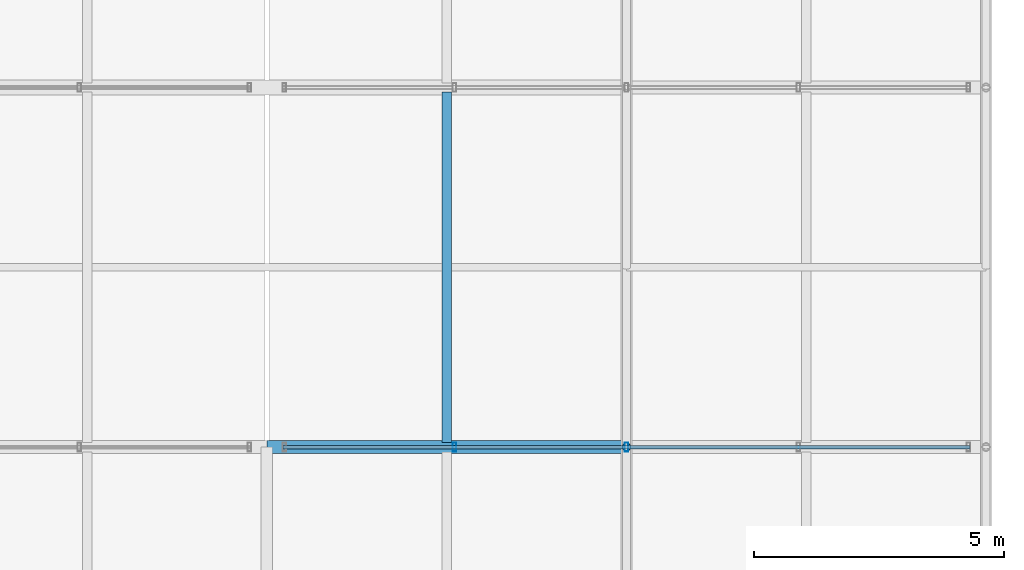
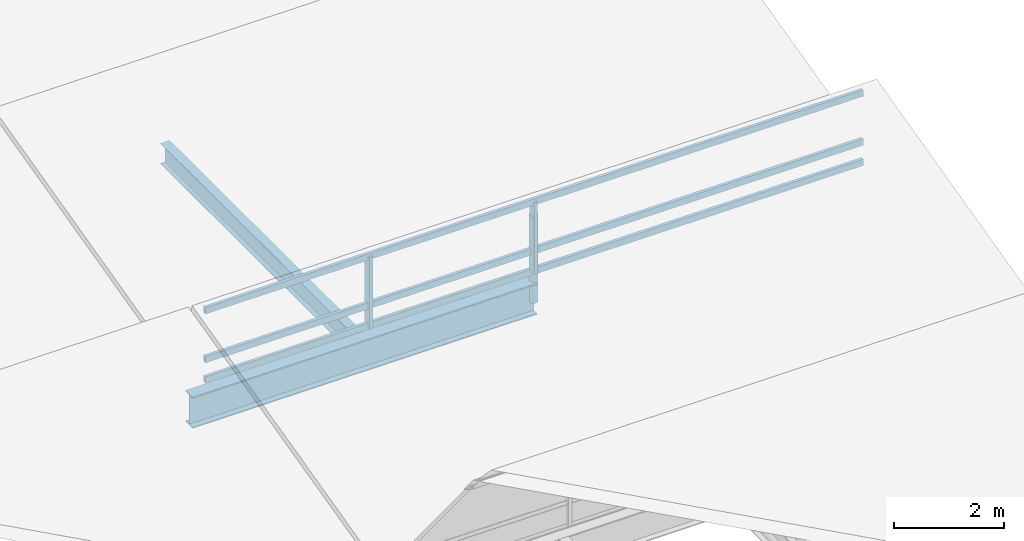
# One storey, part 62 of 144: 6 members, 2 beams, 1 element without a shape of its own.
"""IFC4 building model written with IfcOpenShell, lengths in metres."""

import ifcopenshell
import ifcopenshell.guid

model = None  # the IFC model being written
_history = None  # IfcOwnerHistory: only IFC2X3 demands one
_inside = {}  # id of a spatial element -> (the spatial element, [elements in it])
_under = {}  # id of a project, library or spatial element -> (it, [spatial elements below it])
_declared = {}  # id of a project -> (the project, [libraries it declares])
_typed = {}  # id of a type object -> (the type object, [elements of that type])
_made_of = {}  # id of a material, layer set ... -> (it, [elements and type objects made of it])


def new_model(schema):
    """Start an empty IFC model of exactly this schema.

    Asked for "IFC4X3", IfcOpenShell would pick the latest addendum, in which some entities
    have other attributes; the version numbers below select the first issue.
    IFC2X3 requires an IfcOwnerHistory on every rooted entity: one is made here for all.
    """
    global model, _history
    if schema == "IFC4X3":
        model = ifcopenshell.file(schema_version=(4, 3, 0, 0))
    else:
        model = ifcopenshell.file(schema=schema)
    _inside.clear()
    _under.clear()
    _declared.clear()
    _typed.clear()
    _made_of.clear()
    _history = None
    if model.schema == "IFC2X3":
        org = make("IfcOrganization", Name="unknown")
        user = make(
            "IfcPersonAndOrganization",
            ThePerson=make("IfcPerson", FamilyName="unknown"),
            TheOrganization=org,
        )
        app = make(
            "IfcApplication",
            ApplicationDeveloper=org,
            Version="unknown",
            ApplicationFullName="unknown",
            ApplicationIdentifier="unknown",
        )
        _history = make(
            "IfcOwnerHistory",
            OwningUser=user,
            OwningApplication=app,
            ChangeAction="ADDED",
            CreationDate=0,
        )
    return model


def make(cls, **values):
    """One entity of the class cls with the attributes given. An attribute that is None is left unset."""
    return model.create_entity(
        cls, **{name: value for name, value in values.items() if value is not None}
    )


def rooted(cls, **values):
    """An entity with a GlobalId (a new one), such as an element, a storey or a relation."""
    return make(cls, GlobalId=ifcopenshell.guid.new(), OwnerHistory=_history, **values)


def si_unit(unit_type, name, prefix=None):
    """IfcSIUnit, for example si_unit("LENGTHUNIT", "METRE", prefix="MILLI")."""
    return make("IfcSIUnit", UnitType=unit_type, Prefix=prefix, Name=name)


def assignment(units):
    """IfcUnitAssignment: the units of a project."""
    return None if units is None else make("IfcUnitAssignment", Units=units)


def point(xyz):
    """IfcCartesianPoint."""
    return None if xyz is None else make("IfcCartesianPoint", Coordinates=xyz)


def direction(xyz):
    """IfcDirection."""
    return None if xyz is None else make("IfcDirection", DirectionRatios=xyz)


def frame(location, z_axis=None, x_axis=None):
    """IfcAxis2Placement3D, a coordinate frame: its origin and axes. An axis left out is left unset."""
    return make(
        "IfcAxis2Placement3D",
        Location=point(location),
        Axis=direction(z_axis),
        RefDirection=direction(x_axis),
    )


def frame_2d(location, x_axis=None):
    """IfcAxis2Placement2D, a coordinate frame in the plane: its origin and x axis."""
    return make(
        "IfcAxis2Placement2D", Location=point(location), RefDirection=direction(x_axis)
    )


def origin():
    """The frame at (0, 0, 0) with its axes left unset."""
    return frame((0.0, 0.0, 0.0))


def origin_2d():
    """The frame at (0, 0) in the plane with its x axis left unset."""
    return frame_2d((0.0, 0.0))


def place(relative_to, where):
    """IfcLocalPlacement: puts the frame where relative to a parent placement (None: the world)."""
    return make(
        "IfcLocalPlacement", PlacementRelTo=relative_to, RelativePlacement=where
    )


def context(
    kind, dimensions, precision=None, world=None, true_north=None, identifier=None
):
    """IfcGeometricRepresentationContext, for example the 3D "Model" context."""
    return make(
        "IfcGeometricRepresentationContext",
        ContextIdentifier=identifier,
        ContextType=kind,
        CoordinateSpaceDimension=dimensions,
        Precision=precision,
        WorldCoordinateSystem=world,
        TrueNorth=true_north,
    )


def subcontext(parent, identifier, kind, view, scale=None):
    """IfcGeometricRepresentationSubContext, for example "Body" below "Model"."""
    return make(
        "IfcGeometricRepresentationSubContext",
        ContextIdentifier=identifier,
        ContextType=kind,
        ParentContext=parent,
        TargetScale=scale,
        TargetView=view,
    )


def project(units=None, contexts=None):
    """IfcProject with its units and contexts."""
    return rooted(
        "IfcProject",
        Name="project",
        RepresentationContexts=contexts,
        UnitsInContext=assignment(units),
    )


def spatial(cls, under=None, at=None, **own):
    """A site, building, storey or space (cls), placed at a placement, below another one or the project."""
    s = rooted(cls, ObjectPlacement=at, **own)
    if under is not None:
        _under.setdefault(under.id(), (under, []))[1].append(s)
    return s


def profile(cls, at=None, kind="AREA", **sizes):
    """A parametric profile (cls). Its sizes go by their IFC names, for example OverallWidth=200.0."""
    return make(cls, ProfileType=kind, Position=at, **sizes)


def hollow_rectangle(**sizes):
    """IfcRectangleHollowProfileDef."""
    return profile("IfcRectangleHollowProfileDef", **sizes)


def hollow_circle(**sizes):
    """IfcCircleHollowProfileDef."""
    return profile("IfcCircleHollowProfileDef", **sizes)


def i_section(**sizes):
    """IfcIShapeProfileDef."""
    return profile("IfcIShapeProfileDef", **sizes)


def extrude(swept, where, along, depth):
    """IfcExtrudedAreaSolid: the profile swept, set in the frame where, extruded along a direction by depth."""
    return make(
        "IfcExtrudedAreaSolid",
        SweptArea=swept,
        Position=where,
        ExtrudedDirection=direction(along),
        Depth=depth,
    )


def shape(context_of_items, identifier, shape_type, items):
    """IfcShapeRepresentation: the items that make up one representation, for example the "Body"."""
    return make(
        "IfcShapeRepresentation",
        ContextOfItems=context_of_items,
        RepresentationIdentifier=identifier,
        RepresentationType=shape_type,
        Items=items,
    )


def material(Name=None, Category=None):
    """IfcMaterial."""
    return make("IfcMaterial", Name=Name, Category=Category)


def material_profile(
    of_material, cross_section, Name=None, Category=None, Priority=None
):
    """IfcMaterialProfile: a cross section and its material."""
    return make(
        "IfcMaterialProfile",
        Name=Name,
        Material=of_material,
        Profile=cross_section,
        Priority=Priority,
        Category=Category,
    )


def profile_set(profiles, Name=None, composite=None):
    """IfcMaterialProfileSet."""
    return make(
        "IfcMaterialProfileSet",
        Name=Name,
        MaterialProfiles=profiles,
        CompositeProfile=composite,
    )


def made_of(thing, what):
    """Note that an element or type object is made of a material, layer set ...; save() writes the relation."""
    if what is not None:
        _made_of.setdefault(what.id(), (what, []))[1].append(thing)
    return thing


def type_object(cls, material=None, **own):
    """A type object (cls), such as IfcWallType, which elements share."""
    return made_of(rooted(cls, **own), material)


def element(
    cls,
    number,
    at=None,
    inside=None,
    cuts=None,
    type_object=None,
    material=None,
    context=None,
    identifier="Body",
    shape_type=None,
    held_by="IfcProductDefinitionShape",
    body=None,
    shapes=None,
    **own,
):
    """One element of the class cls, such as IfcWall. Its Tag is "e" and its number.

    at: its placement. inside: the storey or other place that contains it. cuts: it is an
    opening in that element (IfcRelVoidsElement). A single representation is given by context,
    identifier, shape_type and body (its items); several are given by shapes. held_by: the class
    of the entity that holds the representations. save() writes the other relations.
    """
    e = rooted(cls, Tag="e%d" % number, ObjectPlacement=at, **own)
    if body is not None:
        shapes = [shape(context, identifier, shape_type, body)]
    if shapes is not None:
        e.Representation = make(held_by, Representations=shapes)
    if inside is not None:
        _inside.setdefault(inside.id(), (inside, []))[1].append(e)
    if cuts is not None:
        rooted(
            "IfcRelVoidsElement", RelatingBuildingElement=cuts, RelatedOpeningElement=e
        )
    if type_object is not None:
        _typed.setdefault(type_object.id(), (type_object, []))[1].append(e)
    return made_of(e, material)


def aggregate(whole, parts):
    """IfcRelAggregates: a whole, such as a stair, and the parts it consists of."""
    return rooted("IfcRelAggregates", RelatingObject=whole, RelatedObjects=parts)


def save(model, path):
    """Write the relations noted so far, then the file.

    IfcRelAggregates (storeys below a building ...), IfcRelContainedInSpatialStructure (elements
    in a storey), IfcRelDefinesByType, IfcRelAssociatesMaterial and IfcRelDeclares: one each for
    every whole, place, type object, material and project.
    """
    for whole, parts in _under.values():
        aggregate(whole, parts)
    for where, things in _inside.values():
        rooted(
            "IfcRelContainedInSpatialStructure",
            RelatedElements=things,
            RelatingStructure=where,
        )
    for kind, things in _typed.values():
        rooted("IfcRelDefinesByType", RelatedObjects=things, RelatingType=kind)
    for what, things in _made_of.values():
        rooted("IfcRelAssociatesMaterial", RelatedObjects=things, RelatingMaterial=what)
    for by, libraries in _declared.values():
        rooted("IfcRelDeclares", RelatingContext=by, RelatedDefinitions=libraries)
    model.write(path)


model = new_model("IFC4")

# Units and contexts
model_context = context("Model", 3, precision=1e-05, world=origin(), true_north=direction((0.0, 1.0)))
body_context = subcontext(model_context, "Body", "Model", "MODEL_VIEW")
ifc_project = project(units=[si_unit("LENGTHUNIT", "METRE"), si_unit("AREAUNIT", "SQUARE_METRE"), si_unit("VOLUMEUNIT", "CUBIC_METRE"), si_unit("PLANEANGLEUNIT", "RADIAN"), si_unit("MASSUNIT", "GRAM", prefix="KILO")], contexts=[model_context])

# Site, building, storey
site_placement = place(None, origin())
site = spatial("IfcSite", under=ifc_project, at=site_placement, CompositionType="ELEMENT")
building_placement = place(site_placement, origin())
building = spatial("IfcBuilding", under=site, at=building_placement, Name="Yarey Park Central Fire Station", CompositionType="ELEMENT")
storey_placement = place(building_placement, frame((0.0, 0.0, 10.199951171875)))
storey = spatial("IfcBuildingStorey", under=building, at=storey_placement, Name="L03", CompositionType="ELEMENT", Elevation=10.199951171875)

# Curtain wall, members
ifc_material_1 = material(Name="Anodized Aluminium Frame", Category="aluminium")
curtain_wall_type = type_object("IfcCurtainWallType", Name="ENV_CW_SAW_18", PredefinedType="NOTDEFINED", material=ifc_material_1)
curtain_wall_placement = place(storey_placement, origin())
curtain_wall = element("IfcCurtainWall", 1, at=curtain_wall_placement, inside=storey, type_object=curtain_wall_type, Name="CW_L03_SAW_2_2", PredefinedType="NOTDEFINED")
ifc_material_profile_1 = material_profile(ifc_material_1, hollow_rectangle(XDim=0.070068359375, YDim=0.179931640625, WallThickness=0.00390625, at=origin_2d()), Name="ALU 180x70x4")
ifc_profile_set_1 = profile_set([ifc_material_profile_1], Name="Anodized Aluminium Frame")
member_type_1 = type_object("IfcMemberType", Name="ENV_CW_MULLION", PredefinedType="MULLION", material=ifc_profile_set_1)
member_1_placement = place(storey_placement, frame((158.39990234375, 57.60009765625, 0.0), z_axis=(0.0, 0.0, 1.0), x_axis=(1.0, 0.0, 0.0)))
member_1 = element("IfcMember", 2, at=member_1_placement, type_object=member_type_1, Name="CW_L03_SAW_2_2_MUL3", PredefinedType="MULLION", context=body_context, shape_type="SweptSolid", body=[
    extrude(hollow_rectangle(XDim=0.070068359375, YDim=0.179931640625, WallThickness=0.00390625, at=origin_2d()), origin(), (0.0, 0.0, 1.0), 1.580078125),
])
member_2_placement = place(storey_placement, frame((154.955078125, 57.60009765625, 0.0), z_axis=(0.0, 0.0, 1.0), x_axis=(1.0, 0.0, 0.0)))
member_2 = element("IfcMember", 3, at=member_2_placement, type_object=member_type_1, Name="CW_L03_SAW_2_2_MUL4", PredefinedType="MULLION", context=body_context, shape_type="SweptSolid", body=[
    extrude(hollow_rectangle(XDim=0.070068359375, YDim=0.179931640625, WallThickness=0.00390625, at=origin_2d()), origin(), (0.0, 0.0, 1.0), 1.580078125),
])
ifc_material_profile_2 = material_profile(ifc_material_1, hollow_rectangle(XDim=0.070068359375, YDim=0.139892578125, WallThickness=0.00390625, at=origin_2d()), Name="ALU 140x70x4")
ifc_profile_set_2 = profile_set([ifc_material_profile_2], Name="Anodized Aluminium Frame")
member_type_2 = type_object("IfcMemberType", Name="ENV_CW_TRANSOM", PredefinedType="USERDEFINED", material=ifc_profile_set_2)
member_3_placement = place(storey_placement, frame((165.27490234375, 57.60009765625, 0.025146484375), z_axis=(-1.0, 0.0, 0.0), x_axis=(0.0, -1.0, 0.0)))
member_3 = element("IfcMember", 4, at=member_3_placement, type_object=member_type_2, Name="CW_L03_SAW_2_2_TRN1", ObjectType="TRANSOM", PredefinedType="USERDEFINED", context=body_context, shape_type="SweptSolid", body=[
    extrude(hollow_rectangle(XDim=0.070068359375, YDim=0.139892578125, WallThickness=0.00390625, at=origin_2d()), origin(), (0.0, 0.0, 1.0), 13.75),
])
member_4_placement = place(storey_placement, frame((165.27490234375, 57.60009765625, 0.47412109375), z_axis=(-1.0, 0.0, 0.0), x_axis=(0.0, -1.0, 0.0)))
member_4 = element("IfcMember", 5, at=member_4_placement, type_object=member_type_2, Name="CW_L03_SAW_2_2_TRN2", ObjectType="TRANSOM", PredefinedType="USERDEFINED", context=body_context, shape_type="SweptSolid", body=[
    extrude(hollow_rectangle(XDim=0.070068359375, YDim=0.139892578125, WallThickness=0.00390625, at=origin_2d()), origin(), (0.0, 0.0, 1.0), 13.75),
])
member_5_placement = place(storey_placement, frame((165.27490234375, 57.60009765625, 1.554931640625), z_axis=(-1.0, 0.0, 0.0), x_axis=(0.0, -1.0, 0.0)))
member_5 = element("IfcMember", 6, at=member_5_placement, type_object=member_type_2, Name="CW_L03_SAW_2_2_TRN3", ObjectType="TRANSOM", PredefinedType="USERDEFINED", context=body_context, shape_type="SweptSolid", body=[
    extrude(hollow_rectangle(XDim=0.070068359375, YDim=0.139892578125, WallThickness=0.00390625, at=origin_2d()), origin(), (0.0, 0.0, 1.0), 13.75),
])
aggregate(curtain_wall, [member_1, member_2, member_3, member_4, member_5])

# Beams
ifc_material_2 = material(Name="Steel ASTM A992 Gr. 50", Category="steel")
ifc_material_profile_3 = material_profile(ifc_material_2, i_section(OverallWidth=0.256103515625, OverallDepth=0.693115234375, WebThickness=0.014404296875, FlangeThickness=0.023681640625, at=origin_2d()), Name="W690x170")
ifc_profile_set_3 = profile_set([ifc_material_profile_3], Name="Steel ASTM A992 Gr. 50")
beam_type_1 = type_object("IfcBeamType", Name="STR_BM_W690", PredefinedType="BEAM", material=ifc_profile_set_3)
beam_1_placement = place(storey_placement, frame((151.199951171875, 57.60009765625, -0.5263671875), z_axis=(1.0, 0.0, 0.0), x_axis=(0.0, 1.0, 0.0)))
element("IfcBeam", 7, at=beam_1_placement, inside=storey, type_object=beam_type_1, Name="BMX L03 Y576 X1512", PredefinedType="BEAM", context=body_context, shape_type="SweptSolid", body=[
    extrude(i_section(OverallWidth=0.256103515625, OverallDepth=0.693115234375, WebThickness=0.014404296875, FlangeThickness=0.023681640625, at=origin_2d()), origin(), (0.0, 0.0, 1.0), 7.199951171875),
])
ifc_material_profile_4 = material_profile(ifc_material_2, i_section(OverallWidth=0.18994140625, OverallDepth=0.45703125, WebThickness=0.009033203125, FlangeThickness=0.014404296875, at=origin_2d()), Name="W460x74")
ifc_profile_set_4 = profile_set([ifc_material_profile_4], Name="Steel ASTM A992 Gr. 50")
beam_type_2 = type_object("IfcBeamType", Name="STR_JST_W460", PredefinedType="JOIST", material=ifc_profile_set_4)
beam_2_placement = place(storey_placement, frame((154.800048828125, 57.695068359375, -0.408447265625), z_axis=(0.0, 1.0, 0.0), x_axis=(-1.0, 0.0, 0.0)))
element("IfcBeam", 8, at=beam_2_placement, inside=storey, type_object=beam_type_2, Name="JST L03 X1548 Y576", PredefinedType="JOIST", context=body_context, shape_type="SweptSolid", body=[
    extrude(i_section(OverallWidth=0.18994140625, OverallDepth=0.45703125, WebThickness=0.009033203125, FlangeThickness=0.014404296875, at=origin_2d()), origin(), (0.0, 0.0, 1.0), 7.010009765625),
])

# Member
ifc_material_3 = material(Name="Steel ASTM A500 Gr. C", Category="steel")
ifc_material_profile_5 = material_profile(ifc_material_3, hollow_circle(Radius=0.084228515625, WallThickness=0.008056640625, at=origin_2d()), Name="CHS 168.3x8")
ifc_profile_set_5 = profile_set([ifc_material_profile_5], Name="Steel ASTM A500 Gr. C")
member_type_3 = type_object("IfcMemberType", Name="STR_WEB_CHS168", PredefinedType="BRACE", material=ifc_profile_set_5)
member_6_placement = place(storey_placement, frame((158.39990234375, 57.60009765625, -0.64990234375), z_axis=(0.0, 0.0, 1.0), x_axis=(1.0, 0.0, 0.0)))
element("IfcMember", 9, at=member_6_placement, inside=storey, type_object=member_type_3, Name="SAW_T3_B2_VT", PredefinedType="BRACE", context=body_context, shape_type="SweptSolid", body=[
    extrude(hollow_circle(Radius=0.084228515625, WallThickness=0.008056640625, at=origin_2d()), origin(), (0.0, 0.0, 1.0), 1.925048828125),
])

save(model, "model.ifc")
